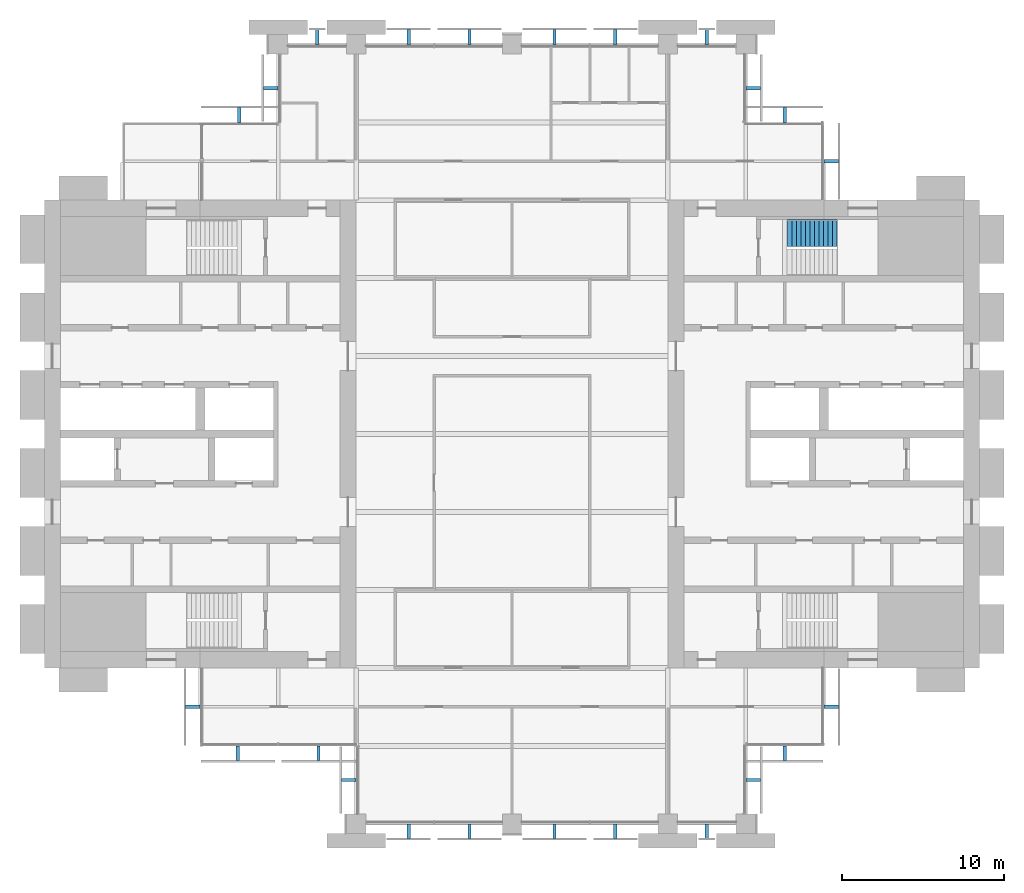
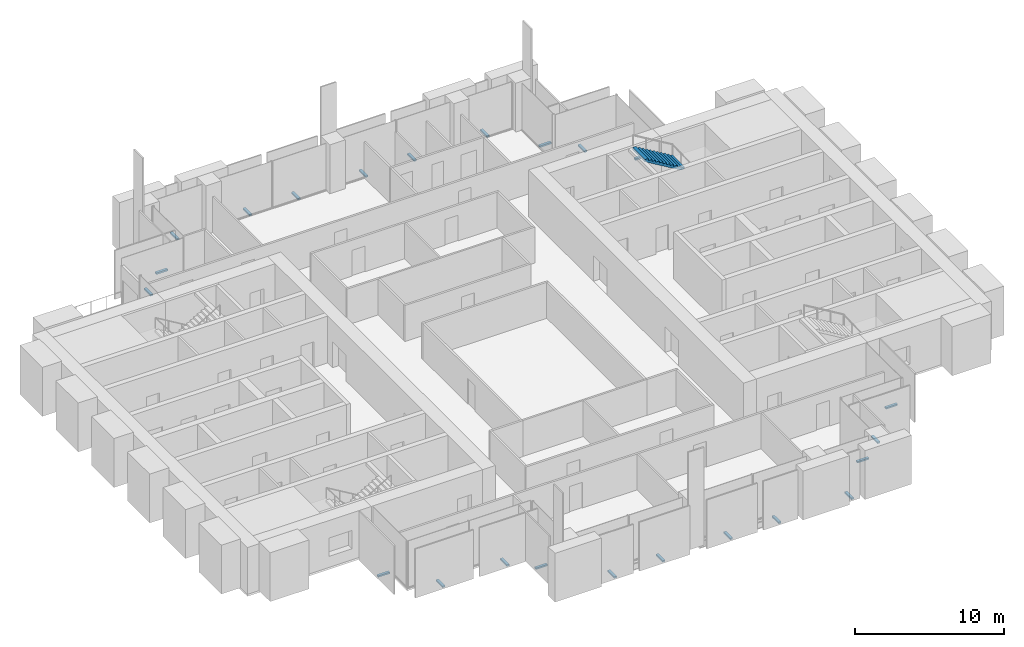
# One storey, part 13 of 14: 23 discrete accessories, 1 stair flight, 1 element without a shape of its own.
"""IFC4 building model written with IfcOpenShell, lengths in metres."""

import ifcopenshell
import ifcopenshell.guid

model = None  # the IFC model being written
_history = None  # IfcOwnerHistory: only IFC2X3 demands one
_inside = {}  # id of a spatial element -> (the spatial element, [elements in it])
_under = {}  # id of a project, library or spatial element -> (it, [spatial elements below it])
_declared = {}  # id of a project -> (the project, [libraries it declares])
_typed = {}  # id of a type object -> (the type object, [elements of that type])
_made_of = {}  # id of a material, layer set ... -> (it, [elements and type objects made of it])


def new_model(schema):
    """Start an empty IFC model of exactly this schema.

    Asked for "IFC4X3", IfcOpenShell would pick the latest addendum, in which some entities
    have other attributes; the version numbers below select the first issue.
    IFC2X3 requires an IfcOwnerHistory on every rooted entity: one is made here for all.
    """
    global model, _history
    if schema == "IFC4X3":
        model = ifcopenshell.file(schema_version=(4, 3, 0, 0))
    else:
        model = ifcopenshell.file(schema=schema)
    _inside.clear()
    _under.clear()
    _declared.clear()
    _typed.clear()
    _made_of.clear()
    _history = None
    if model.schema == "IFC2X3":
        org = make("IfcOrganization", Name="unknown")
        user = make(
            "IfcPersonAndOrganization",
            ThePerson=make("IfcPerson", FamilyName="unknown"),
            TheOrganization=org,
        )
        app = make(
            "IfcApplication",
            ApplicationDeveloper=org,
            Version="unknown",
            ApplicationFullName="unknown",
            ApplicationIdentifier="unknown",
        )
        _history = make(
            "IfcOwnerHistory",
            OwningUser=user,
            OwningApplication=app,
            ChangeAction="ADDED",
            CreationDate=0,
        )
    return model


def make(cls, **values):
    """One entity of the class cls with the attributes given. An attribute that is None is left unset."""
    return model.create_entity(
        cls, **{name: value for name, value in values.items() if value is not None}
    )


def rooted(cls, **values):
    """An entity with a GlobalId (a new one), such as an element, a storey or a relation."""
    return make(cls, GlobalId=ifcopenshell.guid.new(), OwnerHistory=_history, **values)


def si_unit(unit_type, name, prefix=None):
    """IfcSIUnit, for example si_unit("LENGTHUNIT", "METRE", prefix="MILLI")."""
    return make("IfcSIUnit", UnitType=unit_type, Prefix=prefix, Name=name)


def assignment(units):
    """IfcUnitAssignment: the units of a project."""
    return None if units is None else make("IfcUnitAssignment", Units=units)


def point(xyz):
    """IfcCartesianPoint."""
    return None if xyz is None else make("IfcCartesianPoint", Coordinates=xyz)


def direction(xyz):
    """IfcDirection."""
    return None if xyz is None else make("IfcDirection", DirectionRatios=xyz)


def frame(location, z_axis=None, x_axis=None):
    """IfcAxis2Placement3D, a coordinate frame: its origin and axes. An axis left out is left unset."""
    return make(
        "IfcAxis2Placement3D",
        Location=point(location),
        Axis=direction(z_axis),
        RefDirection=direction(x_axis),
    )


def frame_2d(location, x_axis=None):
    """IfcAxis2Placement2D, a coordinate frame in the plane: its origin and x axis."""
    return make(
        "IfcAxis2Placement2D", Location=point(location), RefDirection=direction(x_axis)
    )


def origin():
    """The frame at (0, 0, 0) with its axes left unset."""
    return frame((0.0, 0.0, 0.0))


def origin_2d():
    """The frame at (0, 0) in the plane with its x axis left unset."""
    return frame_2d((0.0, 0.0))


def place(relative_to, where):
    """IfcLocalPlacement: puts the frame where relative to a parent placement (None: the world)."""
    return make(
        "IfcLocalPlacement", PlacementRelTo=relative_to, RelativePlacement=where
    )


def context(
    kind, dimensions, precision=None, world=None, true_north=None, identifier=None
):
    """IfcGeometricRepresentationContext, for example the 3D "Model" context."""
    return make(
        "IfcGeometricRepresentationContext",
        ContextIdentifier=identifier,
        ContextType=kind,
        CoordinateSpaceDimension=dimensions,
        Precision=precision,
        WorldCoordinateSystem=world,
        TrueNorth=true_north,
    )


def subcontext(parent, identifier, kind, view, scale=None):
    """IfcGeometricRepresentationSubContext, for example "Body" below "Model"."""
    return make(
        "IfcGeometricRepresentationSubContext",
        ContextIdentifier=identifier,
        ContextType=kind,
        ParentContext=parent,
        TargetScale=scale,
        TargetView=view,
    )


def project(units=None, contexts=None):
    """IfcProject with its units and contexts."""
    return rooted(
        "IfcProject",
        Name="project",
        RepresentationContexts=contexts,
        UnitsInContext=assignment(units),
    )


def spatial(cls, under=None, at=None, **own):
    """A site, building, storey or space (cls), placed at a placement, below another one or the project."""
    s = rooted(cls, ObjectPlacement=at, **own)
    if under is not None:
        _under.setdefault(under.id(), (under, []))[1].append(s)
    return s


def polyline(points):
    """IfcPolyline through the points."""
    return make("IfcPolyline", Points=[point(p) for p in points])


def profile(cls, at=None, kind="AREA", **sizes):
    """A parametric profile (cls). Its sizes go by their IFC names, for example OverallWidth=200.0."""
    return make(cls, ProfileType=kind, Position=at, **sizes)


def rectangle(**sizes):
    """IfcRectangleProfileDef."""
    return profile("IfcRectangleProfileDef", **sizes)


def outline(outer, holes=None, kind="AREA"):
    """IfcArbitraryClosedProfileDef: a profile drawn as a closed curve; with holes, ...WithVoids."""
    if holes is None:
        return make("IfcArbitraryClosedProfileDef", ProfileType=kind, OuterCurve=outer)
    return make(
        "IfcArbitraryProfileDefWithVoids",
        ProfileType=kind,
        OuterCurve=outer,
        InnerCurves=holes,
    )


def extrude(swept, where, along, depth):
    """IfcExtrudedAreaSolid: the profile swept, set in the frame where, extruded along a direction by depth."""
    return make(
        "IfcExtrudedAreaSolid",
        SweptArea=swept,
        Position=where,
        ExtrudedDirection=direction(along),
        Depth=depth,
    )


def shape(context_of_items, identifier, shape_type, items):
    """IfcShapeRepresentation: the items that make up one representation, for example the "Body"."""
    return make(
        "IfcShapeRepresentation",
        ContextOfItems=context_of_items,
        RepresentationIdentifier=identifier,
        RepresentationType=shape_type,
        Items=items,
    )


def material(Name=None, Category=None):
    """IfcMaterial."""
    return make("IfcMaterial", Name=Name, Category=Category)


def made_of(thing, what):
    """Note that an element or type object is made of a material, layer set ...; save() writes the relation."""
    if what is not None:
        _made_of.setdefault(what.id(), (what, []))[1].append(thing)
    return thing


def type_object(cls, material=None, **own):
    """A type object (cls), such as IfcWallType, which elements share."""
    return made_of(rooted(cls, **own), material)


def element(
    cls,
    number,
    at=None,
    inside=None,
    cuts=None,
    type_object=None,
    material=None,
    context=None,
    identifier="Body",
    shape_type=None,
    held_by="IfcProductDefinitionShape",
    body=None,
    shapes=None,
    **own,
):
    """One element of the class cls, such as IfcWall. Its Tag is "e" and its number.

    at: its placement. inside: the storey or other place that contains it. cuts: it is an
    opening in that element (IfcRelVoidsElement). A single representation is given by context,
    identifier, shape_type and body (its items); several are given by shapes. held_by: the class
    of the entity that holds the representations. save() writes the other relations.
    """
    e = rooted(cls, Tag="e%d" % number, ObjectPlacement=at, **own)
    if body is not None:
        shapes = [shape(context, identifier, shape_type, body)]
    if shapes is not None:
        e.Representation = make(held_by, Representations=shapes)
    if inside is not None:
        _inside.setdefault(inside.id(), (inside, []))[1].append(e)
    if cuts is not None:
        rooted(
            "IfcRelVoidsElement", RelatingBuildingElement=cuts, RelatedOpeningElement=e
        )
    if type_object is not None:
        _typed.setdefault(type_object.id(), (type_object, []))[1].append(e)
    return made_of(e, material)


def aggregate(whole, parts):
    """IfcRelAggregates: a whole, such as a stair, and the parts it consists of."""
    return rooted("IfcRelAggregates", RelatingObject=whole, RelatedObjects=parts)


def save(model, path):
    """Write the relations noted so far, then the file.

    IfcRelAggregates (storeys below a building ...), IfcRelContainedInSpatialStructure (elements
    in a storey), IfcRelDefinesByType, IfcRelAssociatesMaterial and IfcRelDeclares: one each for
    every whole, place, type object, material and project.
    """
    for whole, parts in _under.values():
        aggregate(whole, parts)
    for where, things in _inside.values():
        rooted(
            "IfcRelContainedInSpatialStructure",
            RelatedElements=things,
            RelatingStructure=where,
        )
    for kind, things in _typed.values():
        rooted("IfcRelDefinesByType", RelatedObjects=things, RelatingType=kind)
    for what, things in _made_of.values():
        rooted("IfcRelAssociatesMaterial", RelatedObjects=things, RelatingMaterial=what)
    for by, libraries in _declared.values():
        rooted("IfcRelDeclares", RelatingContext=by, RelatedDefinitions=libraries)
    model.write(path)


model = new_model("IFC4")

# Units and contexts
model_context = context("Model", 3, precision=1e-05, world=origin(), true_north=direction((0.0, 1.0)))
body_context = subcontext(model_context, "Body", "Model", "MODEL_VIEW")
ifc_project = project(units=[si_unit("LENGTHUNIT", "METRE"), si_unit("AREAUNIT", "SQUARE_METRE"), si_unit("VOLUMEUNIT", "CUBIC_METRE"), si_unit("PLANEANGLEUNIT", "RADIAN"), si_unit("MASSUNIT", "GRAM", prefix="KILO")], contexts=[model_context])

# Site, building, storey
site_placement = place(None, origin())
site = spatial("IfcSite", under=ifc_project, at=site_placement, CompositionType="ELEMENT")
building_placement = place(site_placement, origin())
building = spatial("IfcBuilding", under=site, at=building_placement, Name="Baori Bourse Tower", CompositionType="ELEMENT")
storey_placement = place(building_placement, frame((0.0, 0.0, 168.10009765625)))
storey = spatial("IfcBuildingStorey", under=building, at=storey_placement, Name="L37", CompositionType="ELEMENT", Elevation=168.10009765625)

# Stair, stair flight
ifc_material_1 = material(Name="Concrete f'c 50 MPa", Category="concrete")
stair_type = type_object("IfcStairType", Name="Core stair", PredefinedType="HALF_TURN_STAIR", material=ifc_material_1)
stair_placement = place(storey_placement, origin())
stair = element("IfcStair", 1, at=stair_placement, inside=storey, type_object=stair_type, Name="L37 Stair EB", PredefinedType="HALF_TURN_STAIR")
ifc_material_2 = material(Name="Concrete f'c 50 MPa", Category="concrete")
stair_flight_type = type_object("IfcStairFlightType", Name="Core stair flight", PredefinedType="STRAIGHT", material=ifc_material_2)
stair_flight_placement = place(storey_placement, frame((48.830078125, 36.375, 2.0), z_axis=(0.0, 0.0, 1.0), x_axis=(-1.0, 0.0, 0.0)))
stair_flight = element("IfcStairFlight", 2, at=stair_flight_placement, type_object=stair_flight_type, Name="ST4 flight 2", NumberOfRisers=12, NumberOfTreads=11, PredefinedType="STRAIGHT", RiserHeight=0.166666667, TreadLength=0.28, context=body_context, shape_type="SweptSolid", body=[
    extrude(outline(polyline([(0.0, 0.0), (0.0, 0.166748046875), (0.280029296875, 0.166748046875), (0.280029296875, 0.333251953125), (0.56005859375, 0.333251953125), (0.56005859375, 0.5), (0.840087890625, 0.5), (0.840087890625, 0.666748046875), (1.1201171875, 0.666748046875), (1.1201171875, 0.833251953125), (1.39990234375, 0.833251953125), (1.39990234375, 1.0), (1.679931640625, 1.0), (1.679931640625, 1.166748046875), (1.9599609375, 1.166748046875), (1.9599609375, 1.333251953125), (2.239990234375, 1.333251953125), (2.239990234375, 1.5), (2.52001953125, 1.5), (2.52001953125, 1.666748046875), (2.800048828125, 1.666748046875), (2.800048828125, 1.833251953125), (3.080078125, 1.833251953125), (3.080078125, 2.0), (3.080078125, 1.658935546875), (0.29296875, 0.0), (0.0, 0.0)])), frame((0.0, 0.824951171875, 0.0), z_axis=(0.0, -1.0, 0.0), x_axis=(1.0, 0.0, 0.0)), (0.0, 0.0, 1.0), 1.64990234375),
])
aggregate(stair, [stair_flight])

# Discrete accessories
ifc_material_3 = material(Name="Pale anodised aluminium", Category="aluminium")
discrete_accessory_type = type_object("IfcDiscreteAccessoryType", Name="OS2 Outer skin bracket", PredefinedType="BRACKET", material=ifc_material_3)
for number, where, z_axis, x_axis, name in (
    (3, (48.449951171875, 40.800048828125, -0.14404296875), (0.0, 0.0, 1.0), (0.0, 1.0, 0.0), "Outer skin bracket L37 1"),
    (4, (45.60009765625, 43.64990234375, -0.14404296875), (0.0, 0.0, 1.0), (-1.0, 0.0, 0.0), "Outer skin bracket L37 2"),
    (5, (43.64990234375, 45.300048828125, -0.14404296875), (0.0, 0.0, 1.0), (0.0, 1.0, 0.0), "Outer skin bracket L37 3"),
    (6, (40.800048828125, 48.449951171875, -0.14404296875), (0.0, 0.0, 1.0), (-1.0, 0.0, 0.0), "Outer skin bracket L37 4"),
    (7, (35.16259765625, 48.449951171875, -0.14404296875), (0.0, 0.0, 1.0), (-1.0, 0.0, 0.0), "Outer skin bracket L37 5"),
    (8, (31.41259765625, 48.449951171875, -0.14404296875), (0.0, 0.0, 1.0), (-1.0, 0.0, 0.0), "Outer skin bracket L37 6"),
    (9, (26.1875, 48.449951171875, -0.14404296875), (0.0, 0.0, 1.0), (-1.0, 0.0, 0.0), "Outer skin bracket L37 7"),
    (10, (22.4375, 48.449951171875, -0.14404296875), (0.0, 0.0, 1.0), (-1.0, 0.0, 0.0), "Outer skin bracket L37 8"),
    (11, (16.800048828125, 48.449951171875, -0.14404296875), (0.0, 0.0, 1.0), (-1.0, 0.0, 0.0), "Outer skin bracket L37 9"),
    (12, (13.949951171875, 45.300048828125, -0.14404296875), (0.0, 0.0, 1.0), (0.0, -1.0, 0.0), "Outer skin bracket L37 10"),
    (13, (12.0, 43.64990234375, -0.14404296875), (0.0, 0.0, 1.0), (-1.0, 0.0, 0.0), "Outer skin bracket L37 11"),
    (14, (9.14990234375, 7.199951171875, -0.14404296875), (0.0, 0.0, 1.0), (0.0, -1.0, 0.0), "Outer skin bracket L37 12"),
    (15, (11.91259765625, 4.35009765625, -0.14404296875), (0.0, 0.0, 1.0), (1.0, 0.0, 0.0), "Outer skin bracket L37 13"),
    (16, (16.887451171875, 4.35009765625, -0.14404296875), (0.0, 0.0, 1.0), (1.0, 0.0, 0.0), "Outer skin bracket L37 14"),
    (17, (18.75, 2.699951171875, -0.14404296875), (0.0, 0.0, 1.0), (0.0, -1.0, 0.0), "Outer skin bracket L37 15"),
    (18, (22.4375, -0.449951171875, -0.14404296875), (0.0, 0.0, 1.0), (1.0, 0.0, 0.0), "Outer skin bracket L37 16"),
    (19, (26.1875, -0.449951171875, -0.14404296875), (0.0, 0.0, 1.0), (1.0, 0.0, 0.0), "Outer skin bracket L37 17"),
    (20, (31.41259765625, -0.449951171875, -0.14404296875), (0.0, 0.0, 1.0), (1.0, 0.0, 0.0), "Outer skin bracket L37 18"),
    (21, (35.16259765625, -0.449951171875, -0.14404296875), (0.0, 0.0, 1.0), (1.0, 0.0, 0.0), "Outer skin bracket L37 19"),
    (22, (40.800048828125, -0.449951171875, -0.14404296875), (0.0, 0.0, 1.0), (1.0, 0.0, 0.0), "Outer skin bracket L37 20"),
    (23, (43.64990234375, 2.699951171875, -0.14404296875), (0.0, 0.0, 1.0), (0.0, 1.0, 0.0), "Outer skin bracket L37 21"),
    (24, (45.60009765625, 4.35009765625, -0.14404296875), (0.0, 0.0, 1.0), (1.0, 0.0, 0.0), "Outer skin bracket L37 22"),
    (25, (48.449951171875, 7.199951171875, -0.14404296875), (0.0, 0.0, 1.0), (0.0, 1.0, 0.0), "Outer skin bracket L37 23"),
):
    element("IfcDiscreteAccessory", number, at=place(storey_placement, frame(where, z_axis=z_axis, x_axis=x_axis)), inside=storey, type_object=discrete_accessory_type, Name=name, PredefinedType="BRACKET", context=body_context, shape_type="SweptSolid", body=[
        extrude(rectangle(XDim=0.199951171875, YDim=0.89990234375, at=origin_2d()), origin(), (0.0, 0.0, 1.0), 0.1279296875),
    ])

save(model, "model.ifc")
